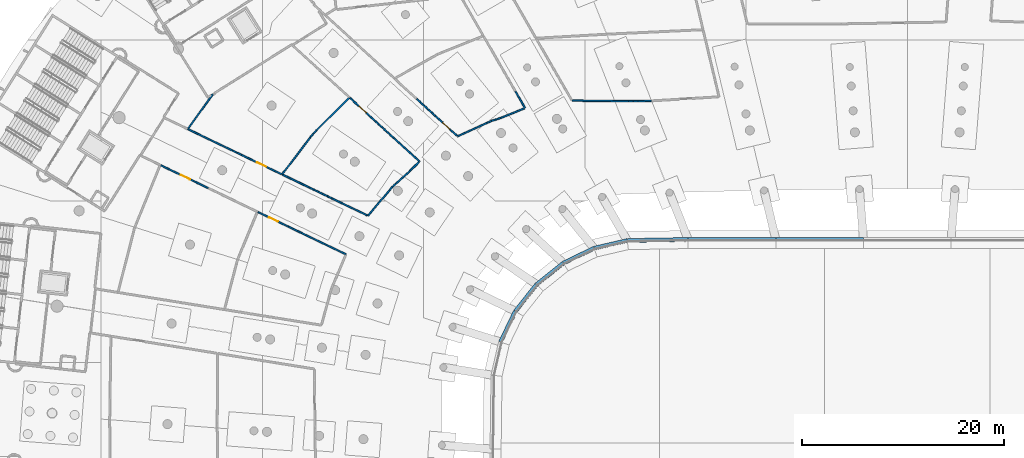
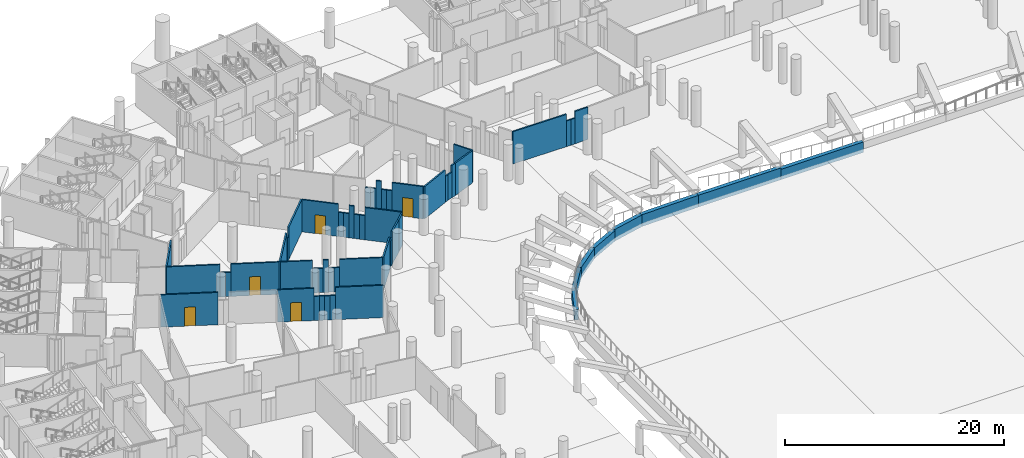
# One storey, part 71 of 142: 59 walls, 5 doors, 5 openings.
"""IFC4 building model written with IfcOpenShell, lengths in metres."""

from ifc_helpers import new_model, si_unit, direction, frame, frame_2d, origin, place, context, subcontext, project, spatial, rectangle, extrude, material, layer, layer_set, type_object, element, fill, save


model = new_model("IFC4")

# Units and contexts
model_context = context("Model", 3, precision=1e-05, world=origin(), true_north=direction((0.0, 1.0)))
body_context = subcontext(model_context, "Body", "Model", "MODEL_VIEW")
ifc_project = project(units=[si_unit("LENGTHUNIT", "METRE"), si_unit("AREAUNIT", "SQUARE_METRE"), si_unit("VOLUMEUNIT", "CUBIC_METRE"), si_unit("PLANEANGLEUNIT", "RADIAN"), si_unit("MASSUNIT", "GRAM", prefix="KILO")], contexts=[model_context])

# Site, building, storey
site_placement = place(None, origin())
site = spatial("IfcSite", under=ifc_project, at=site_placement, CompositionType="ELEMENT")
building_placement = place(site_placement, origin())
building = spatial("IfcBuilding", under=site, at=building_placement, Name="Meseta Stadium", CompositionType="ELEMENT")
storey_placement = place(building_placement, frame((0.0, 0.0, -4.0)))
storey = spatial("IfcBuildingStorey", under=building, at=storey_placement, Name="B1", CompositionType="ELEMENT", Elevation=-4.0)

# Walls
ifc_material_1 = material(Name="Masonry blockwork", Category="masonry")
ifc_layer_1 = layer(ifc_material_1, 0.14990234375)
ifc_layer_set_1 = layer_set([ifc_layer_1], Name="Partition 150")
wall_type_1 = type_object("IfcWallType", Name="Partition 150", PredefinedType="PARTITIONING", material=ifc_layer_set_1)
wall_1_placement = place(storey_placement, frame((-25.383056640625, 73.938720703125, 0.0), z_axis=(0.0, 0.0, 1.0), x_axis=(-0.999868068184, -0.016243344068, 0.0)))
element("IfcWall", 1, at=wall_1_placement, inside=storey, type_object=wall_type_1, Name="Partition B1 B1-cell10-1-0", PredefinedType="PARTITIONING", context=body_context, shape_type="SweptSolid", body=[
    extrude(rectangle(XDim=1.352783203125, YDim=0.14990234375, at=frame_2d((0.67626953125, 0.0))), origin(), (0.0, 0.0, 1.0), 3.60009765625),
])
wall_2_placement = place(storey_placement, frame((-26.735595703125, 73.916748046875, 0.0), z_axis=(0.0, 0.0, 1.0), x_axis=(-0.999867972893, -0.01624920866, 0.0)))
element("IfcWall", 2, at=wall_2_placement, inside=storey, type_object=wall_type_1, Name="Partition B1 B1-cell10-1-0", PredefinedType="PARTITIONING", context=body_context, shape_type="SweptSolid", body=[
    extrude(rectangle(XDim=0.45068359375, YDim=0.14990234375, at=frame_2d((0.225341796875, 0.0))), origin(), (0.0, 0.0, 1.0), 2.85009765625),
])
wall_3_placement = place(storey_placement, frame((-27.186279296875, 73.909423828125, 0.0), z_axis=(0.0, 0.0, 1.0), x_axis=(-0.999960599238, 0.008876934824, 0.0)))
element("IfcWall", 3, at=wall_3_placement, inside=storey, type_object=wall_type_1, Name="Partition B1 B1-cell10-1-0", PredefinedType="PARTITIONING", context=body_context, shape_type="SweptSolid", body=[
    extrude(rectangle(XDim=0.467529296875, YDim=0.14990234375, at=frame_2d((0.23388671875, 0.0))), origin(), (0.0, 0.0, 1.0), 2.85009765625),
])
wall_4_placement = place(storey_placement, frame((-27.65380859375, 73.91357421875, 0.0), z_axis=(0.0, 0.0, 1.0), x_axis=(-0.999961742838, 0.008747162952, 0.0)))
element("IfcWall", 4, at=wall_4_placement, inside=storey, type_object=wall_type_1, Name="Partition B1 B1-cell10-1-0", PredefinedType="PARTITIONING", context=body_context, shape_type="SweptSolid", body=[
    extrude(rectangle(XDim=5.610107421875, YDim=0.14990234375, at=frame_2d((2.80517578125, 0.0))), origin(), (0.0, 0.0, 1.0), 3.60009765625),
])
wall_5_placement = place(storey_placement, frame((-38.893798828125, 74.91064453125, 0.0), z_axis=(0.0, 0.0, 1.0), x_axis=(0.500428039274, -0.865778134113, 0.0)))
element("IfcWall", 5, at=wall_5_placement, inside=storey, type_object=wall_type_1, Name="Partition B1 B1-cell11-1-0", PredefinedType="PARTITIONING", context=body_context, shape_type="SweptSolid", body=[
    extrude(rectangle(XDim=1.946533203125, YDim=0.14990234375, at=frame_2d((0.97314453125, 0.0))), origin(), (0.0, 0.0, 1.0), 3.60009765625),
])
wall_6_placement = place(storey_placement, frame((-37.989990234375, 73.197021484375, 0.0), z_axis=(0.0, 0.0, 1.0), x_axis=(-0.926150512671, -0.377154116879, 0.0)))
element("IfcWall", 6, at=wall_6_placement, inside=storey, type_object=wall_type_1, Name="Partition B1 B1-cell11-1-0", PredefinedType="PARTITIONING", context=body_context, shape_type="SweptSolid", body=[
    extrude(rectangle(XDim=2.552978515625, YDim=0.14990234375, at=frame_2d((1.2763671875, 0.0))), origin(), (0.0, 0.0, 1.0), 3.60009765625),
])
wall_7_placement = place(storey_placement, frame((-40.3544921875, 72.234130859375, 0.0), z_axis=(0.0, 0.0, 1.0), x_axis=(-0.954344750988, -0.298707375641, 0.0)))
element("IfcWall", 7, at=wall_7_placement, inside=storey, type_object=wall_type_1, Name="Partition B1 B1-cell11-1-0", PredefinedType="PARTITIONING", context=body_context, shape_type="SweptSolid", body=[
    extrude(rectangle(XDim=0.482177734375, YDim=0.14990234375, at=frame_2d((0.2412109375, 0.0))), origin(), (0.0, 0.0, 1.0), 3.60009765625),
])
wall_8_placement = place(storey_placement, frame((-40.814697265625, 72.090087890625, 0.0), z_axis=(0.0, 0.0, 1.0), x_axis=(-0.95429954451, -0.298851768185, 0.0)))
element("IfcWall", 8, at=wall_8_placement, inside=storey, type_object=wall_type_1, Name="Partition B1 B1-cell11-1-0", PredefinedType="PARTITIONING", context=body_context, shape_type="SweptSolid", body=[
    extrude(rectangle(XDim=0.48193359375, YDim=0.14990234375, at=frame_2d((0.240966796875, 0.0))), origin(), (0.0, 0.0, 1.0), 2.85009765625),
])
wall_9_placement = place(storey_placement, frame((-41.274658203125, 71.946044921875, 0.0), z_axis=(0.0, 0.0, 1.0), x_axis=(-0.909417011364, -0.415885440285, 0.0)))
element("IfcWall", 9, at=wall_9_placement, inside=storey, type_object=wall_type_1, Name="Partition B1 B1-cell11-1-0", PredefinedType="PARTITIONING", context=body_context, shape_type="SweptSolid", body=[
    extrude(rectangle(XDim=0.458984375, YDim=0.14990234375, at=frame_2d((0.2294921875, 0.0))), origin(), (0.0, 0.0, 1.0), 2.85009765625),
])
wall_10_placement = place(storey_placement, frame((-41.692138671875, 71.755126953125, 0.0), z_axis=(0.0, 0.0, 1.0), x_axis=(-0.909581934744, -0.415524612975, 0.0)))
element("IfcWall", 10, at=wall_10_placement, inside=storey, type_object=wall_type_1, Name="Partition B1 B1-cell11-1-0", PredefinedType="PARTITIONING", context=body_context, shape_type="SweptSolid", body=[
    extrude(rectangle(XDim=3.21435546875, YDim=0.14990234375, at=frame_2d((1.607177734375, 0.0))), origin(), (0.0, 0.0, 1.0), 3.60009765625),
])

# Wall, opening, door
wall_11_placement = place(storey_placement, frame((-44.676025390625, 70.474609375, 0.0), z_axis=(0.0, 0.0, 1.0), x_axis=(-0.737633349571, 0.675201482226, 0.0)))
wall_11 = element("IfcWall", 11, at=wall_11_placement, inside=storey, type_object=wall_type_1, Name="Partition B1 B1-cell11-1-0", PredefinedType="PARTITIONING", context=body_context, shape_type="SweptSolid", body=[
    extrude(rectangle(XDim=2.917236328125, YDim=0.14990234375, at=frame_2d((1.45849609375, 0.0))), origin(), (0.0, 0.0, 1.0), 3.60009765625),
])
opening_1_placement = place(wall_11_placement, frame((0.949951171875, 0.0, 0.0)))
opening_1 = element("IfcOpeningElement", 12, at=opening_1_placement, cuts=wall_11, Name="Opening D464", PredefinedType="OPENING", context=body_context, shape_type="SweptSolid", body=[
    extrude(rectangle(XDim=1.0, YDim=2.10009765625, at=frame_2d((0.5, 1.050048828125))), frame((0.0, 0.0849609375, 0.0), z_axis=(0.0, -1.0, 0.0), x_axis=(1.0, 0.0, 0.0)), (0.0, 0.0, 1.0), 0.169921875),
])
ifc_material_2 = material(Name="Steel", Category="steel")
door_type_1 = type_object("IfcDoorType", Name="Fire door 1000x2100 EI2 60", OperationType="NOTDEFINED", PredefinedType="DOOR", material=ifc_material_2)
door_1_placement = place(opening_1_placement, origin())
door_1 = element("IfcDoor", 13, at=door_1_placement, inside=storey, type_object=door_type_1, Name="Door D464", OperationType="SINGLE_SWING_RIGHT", OverallHeight=2.10009765625, OverallWidth=1.0, PredefinedType="DOOR", context=body_context, shape_type="SweptSolid", body=[
    extrude(rectangle(XDim=1.0, YDim=2.10009765625, at=frame_2d((0.5, 1.050048828125))), frame((0.0, 0.02490234375, 0.0), z_axis=(0.0, -1.0, 0.0), x_axis=(1.0, 0.0, 0.0)), (0.0, 0.0, 1.0), 0.050048828125),
])
fill(opening_1, door_1)

# Walls
wall_12_placement = place(storey_placement, frame((-46.827880859375, 72.4443359375, 0.0), z_axis=(0.0, 0.0, 1.0), x_axis=(-0.737660549035, 0.675171766588, 0.0)))
element("IfcWall", 14, at=wall_12_placement, inside=storey, type_object=wall_type_1, Name="Partition B1 B1-cell11-1-0", PredefinedType="PARTITIONING", context=body_context, shape_type="SweptSolid", body=[
    extrude(rectangle(XDim=0.5, YDim=0.14990234375, at=frame_2d((0.25, 0.0))), origin(), (0.0, 0.0, 1.0), 2.699951171875),
])
wall_13_placement = place(storey_placement, frame((-47.19677734375, 72.781982421875, 0.0), z_axis=(0.0, 0.0, 1.0), x_axis=(-0.737458354514, 0.675392608309, 0.0)))
element("IfcWall", 15, at=wall_13_placement, inside=storey, type_object=wall_type_1, Name="Partition B1 B1-cell11-1-0", PredefinedType="PARTITIONING", context=body_context, shape_type="SweptSolid", body=[
    extrude(rectangle(XDim=0.49951171875, YDim=0.14990234375, at=frame_2d((0.249755859375, 0.0))), origin(), (0.0, 0.0, 1.0), 2.699951171875),
])
wall_14_placement = place(storey_placement, frame((-47.565185546875, 73.119384765625, 0.0), z_axis=(0.0, 0.0, 1.0), x_axis=(-0.73790372497, 0.674905988027, 0.0)))
element("IfcWall", 16, at=wall_14_placement, inside=storey, type_object=wall_type_1, Name="Partition B1 B1-cell11-1-0", PredefinedType="PARTITIONING", context=body_context, shape_type="SweptSolid", body=[
    extrude(rectangle(XDim=0.5, YDim=0.14990234375, at=frame_2d((0.25, 0.0))), origin(), (0.0, 0.0, 1.0), 3.60009765625),
])
wall_15_placement = place(storey_placement, frame((-47.93408203125, 73.456787109375, 0.0), z_axis=(0.0, 0.0, 1.0), x_axis=(-0.737681160119, 0.675149247208, 0.0)))
element("IfcWall", 17, at=wall_15_placement, inside=storey, type_object=wall_type_1, Name="Partition B1 B1-cell11-1-0", PredefinedType="PARTITIONING", context=body_context, shape_type="SweptSolid", body=[
    extrude(rectangle(XDim=0.499755859375, YDim=0.14990234375, at=frame_2d((0.25, 0.0))), origin(), (0.0, 0.0, 1.0), 2.699951171875),
])
wall_16_placement = place(storey_placement, frame((-48.302734375, 73.794189453125, 0.0), z_axis=(0.0, 0.0, 1.0), x_axis=(-0.737437882339, 0.67541496111, 0.0)))
element("IfcWall", 18, at=wall_16_placement, inside=storey, type_object=wall_type_1, Name="Partition B1 B1-cell11-1-0", PredefinedType="PARTITIONING", context=body_context, shape_type="SweptSolid", body=[
    extrude(rectangle(XDim=0.5, YDim=0.14990234375, at=frame_2d((0.25, 0.0))), origin(), (0.0, 0.0, 1.0), 2.699951171875),
])
wall_17_placement = place(storey_placement, frame((-62.03515625, 66.643798828125, 0.0), z_axis=(0.0, 0.0, 1.0), x_axis=(0.607522587772, 0.7943024017, 0.0)))
element("IfcWall", 19, at=wall_17_placement, inside=storey, type_object=wall_type_1, Name="Partition B1 B1-cell12-1-0", PredefinedType="PARTITIONING", context=body_context, shape_type="SweptSolid", body=[
    extrude(rectangle(XDim=4.625732421875, YDim=0.14990234375, at=frame_2d((2.31298828125, 0.0))), origin(), (0.0, 0.0, 1.0), 3.60009765625),
])
wall_18_placement = place(storey_placement, frame((-59.224853515625, 70.318115234375, 0.0), z_axis=(0.0, 0.0, 1.0), x_axis=(0.607234679448, 0.794522525846, 0.0)))
element("IfcWall", 20, at=wall_18_placement, inside=storey, type_object=wall_type_1, Name="Partition B1 B1-cell12-1-0", PredefinedType="PARTITIONING", context=body_context, shape_type="SweptSolid", body=[
    extrude(rectangle(XDim=0.462646484375, YDim=0.14990234375, at=frame_2d((0.2314453125, 0.0))), origin(), (0.0, 0.0, 1.0), 2.699951171875),
])
wall_19_placement = place(storey_placement, frame((-58.94384765625, 70.685791015625, 0.0), z_axis=(0.0, 0.0, 1.0), x_axis=(0.707898761155, 0.706313913182, 0.0)))
element("IfcWall", 21, at=wall_19_placement, inside=storey, type_object=wall_type_1, Name="Partition B1 B1-cell12-1-0", PredefinedType="PARTITIONING", context=body_context, shape_type="SweptSolid", body=[
    extrude(rectangle(XDim=0.462158203125, YDim=0.14990234375, at=frame_2d((0.23095703125, 0.0))), origin(), (0.0, 0.0, 1.0), 2.699951171875),
])
wall_20_placement = place(storey_placement, frame((-58.61669921875, 71.01220703125, 0.0), z_axis=(0.0, 0.0, 1.0), x_axis=(0.707977942718, 0.706234545052, 0.0)))
element("IfcWall", 22, at=wall_20_placement, inside=storey, type_object=wall_type_1, Name="Partition B1 B1-cell12-1-0", PredefinedType="PARTITIONING", context=body_context, shape_type="SweptSolid", body=[
    extrude(rectangle(XDim=4.621337890625, YDim=0.14990234375, at=frame_2d((2.310546875, 0.0))), origin(), (0.0, 0.0, 1.0), 3.60009765625),
])

# Wall, opening, door
wall_21_placement = place(storey_placement, frame((-55.28955078125, 74.22509765625, 0.0), z_axis=(0.0, 0.0, 1.0), x_axis=(0.737592778543, -0.675245801942, 0.0)))
wall_21 = element("IfcWall", 23, at=wall_21_placement, inside=storey, type_object=wall_type_1, Name="Partition B1 B1-cell12-1-0", PredefinedType="PARTITIONING", context=body_context, shape_type="SweptSolid", body=[
    extrude(rectangle(XDim=3.39501953125, YDim=0.14990234375, at=frame_2d((1.697509765625, 0.0))), origin(), (0.0, 0.0, 1.0), 3.60009765625),
])
opening_2_placement = place(wall_21_placement, frame((1.199951171875, 0.0, 0.0)))
opening_2 = element("IfcOpeningElement", 24, at=opening_2_placement, cuts=wall_21, Name="Opening D467", PredefinedType="OPENING", context=body_context, shape_type="SweptSolid", body=[
    extrude(rectangle(XDim=1.0, YDim=2.10009765625, at=frame_2d((0.5, 1.050048828125))), frame((0.0, 0.0849609375, 0.0), z_axis=(0.0, -1.0, 0.0), x_axis=(1.0, 0.0, 0.0)), (0.0, 0.0, 1.0), 0.169921875),
])
door_2_placement = place(opening_2_placement, origin())
door_2 = element("IfcDoor", 25, at=door_2_placement, inside=storey, type_object=door_type_1, Name="Door D467", OperationType="SINGLE_SWING_LEFT", OverallHeight=2.10009765625, OverallWidth=1.0, PredefinedType="DOOR", context=body_context, shape_type="SweptSolid", body=[
    extrude(rectangle(XDim=1.0, YDim=2.10009765625, at=frame_2d((0.5, 1.050048828125))), frame((0.0, 0.02490234375, 0.0), z_axis=(0.0, -1.0, 0.0), x_axis=(1.0, 0.0, 0.0)), (0.0, 0.0, 1.0), 0.050048828125),
])
fill(opening_2, door_2)

# Walls
for number, where, z_axis, x_axis, name in (
    (26, (-52.785400390625, 71.9326171875, 0.0), (0.0, 0.0, 1.0), (0.737685383135, -0.67514463303, 0.0), "Partition B1 B1-cell12-1-0"),
    (27, (-52.419677734375, 71.597900390625, 0.0), (0.0, 0.0, 1.0), (0.737685383135, -0.67514463303, 0.0), "Partition B1 B1-cell12-1-0"),
):
    element("IfcWall", number, at=place(storey_placement, frame(where, z_axis=z_axis, x_axis=x_axis)), inside=storey, type_object=wall_type_1, Name=name, PredefinedType="PARTITIONING", context=body_context, shape_type="SweptSolid", body=[
        extrude(rectangle(XDim=0.495849609375, YDim=0.14990234375, at=frame_2d((0.248046875, 0.0))), origin(), (0.0, 0.0, 1.0), 2.699951171875),
    ])
wall_22_placement = place(storey_placement, frame((-52.053955078125, 71.26318359375, 0.0), z_axis=(0.0, 0.0, 1.0), x_axis=(0.737460793515, -0.675389945163, 0.0)))
element("IfcWall", 28, at=wall_22_placement, inside=storey, type_object=wall_type_1, Name="Partition B1 B1-cell12-1-0", PredefinedType="PARTITIONING", context=body_context, shape_type="SweptSolid", body=[
    extrude(rectangle(XDim=0.49560546875, YDim=0.14990234375, at=frame_2d((0.247802734375, 0.0))), origin(), (0.0, 0.0, 1.0), 3.60009765625),
])
for number, where, z_axis, x_axis, name in (
    (29, (-51.6884765625, 70.928466796875, 0.0), (0.0, 0.0, 1.0), (0.737685383135, -0.67514463303, 0.0), "Partition B1 B1-cell12-1-0"),
    (30, (-51.32275390625, 70.59375, 0.0), (0.0, 0.0, 1.0), (0.737685383135, -0.67514463303, 0.0), "Partition B1 B1-cell12-1-0"),
):
    element("IfcWall", number, at=place(storey_placement, frame(where, z_axis=z_axis, x_axis=x_axis)), inside=storey, type_object=wall_type_1, Name=name, PredefinedType="PARTITIONING", context=body_context, shape_type="SweptSolid", body=[
        extrude(rectangle(XDim=0.495849609375, YDim=0.14990234375, at=frame_2d((0.248046875, 0.0))), origin(), (0.0, 0.0, 1.0), 2.699951171875),
    ])
wall_23_placement = place(storey_placement, frame((-50.95703125, 70.259033203125, 0.0), z_axis=(0.0, 0.0, 1.0), x_axis=(0.737621239647, -0.675214711645, 0.0)))
element("IfcWall", 31, at=wall_23_placement, inside=storey, type_object=wall_type_1, Name="Partition B1 B1-cell12-1-0", PredefinedType="PARTITIONING", context=body_context, shape_type="SweptSolid", body=[
    extrude(rectangle(XDim=3.469970703125, YDim=0.14990234375, at=frame_2d((1.73486328125, 0.0))), origin(), (0.0, 0.0, 1.0), 3.60009765625),
])
wall_24_placement = place(storey_placement, frame((-48.451171875, 67.863525390625, 0.0), z_axis=(0.0, 0.0, 1.0), x_axis=(-0.715813148979, -0.698291870029, 0.0)))
element("IfcWall", 32, at=wall_24_placement, inside=storey, type_object=wall_type_1, Name="Partition B1 B1-cell12-1-0", PredefinedType="PARTITIONING", context=body_context, shape_type="SweptSolid", body=[
    extrude(rectangle(XDim=1.240234375, YDim=0.14990234375, at=frame_2d((0.6201171875, 0.0))), origin(), (0.0, 0.0, 1.0), 3.60009765625),
])
wall_25_placement = place(storey_placement, frame((-49.3388671875, 66.99755859375, 0.0), z_axis=(0.0, 0.0, 1.0), x_axis=(-0.738809628439, -0.673914188103, 0.0)))
element("IfcWall", 33, at=wall_25_placement, inside=storey, type_object=wall_type_1, Name="Partition B1 B1-cell12-1-0", PredefinedType="PARTITIONING", context=body_context, shape_type="SweptSolid", body=[
    extrude(rectangle(XDim=1.907470703125, YDim=0.14990234375, at=frame_2d((0.95361328125, 0.0))), origin(), (0.0, 0.0, 1.0), 3.60009765625),
])
wall_26_placement = place(storey_placement, frame((-50.748046875, 65.712158203125, 0.0), z_axis=(0.0, 0.0, 1.0), x_axis=(-0.739105728583, -0.673589431312, 0.0)))
element("IfcWall", 34, at=wall_26_placement, inside=storey, type_object=wall_type_1, Name="Partition B1 B1-cell12-1-0", PredefinedType="PARTITIONING", context=body_context, shape_type="SweptSolid", body=[
    extrude(rectangle(XDim=0.47705078125, YDim=0.14990234375, at=frame_2d((0.238525390625, 0.0))), origin(), (0.0, 0.0, 1.0), 2.85009765625),
])
wall_27_placement = place(storey_placement, frame((-51.1005859375, 65.390869140625, 0.0), z_axis=(0.0, 0.0, 1.0), x_axis=(-0.645425435236, -0.763823282933, 0.0)))
element("IfcWall", 35, at=wall_27_placement, inside=storey, type_object=wall_type_1, Name="Partition B1 B1-cell12-1-0", PredefinedType="PARTITIONING", context=body_context, shape_type="SweptSolid", body=[
    extrude(rectangle(XDim=0.466064453125, YDim=0.14990234375, at=frame_2d((0.23291015625, 0.0))), origin(), (0.0, 0.0, 1.0), 2.85009765625),
])
wall_28_placement = place(storey_placement, frame((-51.4013671875, 65.034912109375, 0.0), z_axis=(0.0, 0.0, 1.0), x_axis=(-0.64527787395, -0.76394794678, 0.0)))
element("IfcWall", 36, at=wall_28_placement, inside=storey, type_object=wall_type_1, Name="Partition B1 B1-cell12-1-0", PredefinedType="PARTITIONING", context=body_context, shape_type="SweptSolid", body=[
    extrude(rectangle(XDim=3.262939453125, YDim=0.14990234375, at=frame_2d((1.63134765625, 0.0))), origin(), (0.0, 0.0, 1.0), 3.60009765625),
])
wall_29_placement = place(storey_placement, frame((-53.57666015625, 62.57568359375, 0.0), z_axis=(0.0, 0.0, 1.0), x_axis=(-0.901195166142, 0.433413512159, 0.0)))
element("IfcWall", 37, at=wall_29_placement, inside=storey, type_object=wall_type_1, Name="Partition B1 B1-cell12-1-0", PredefinedType="PARTITIONING", context=body_context, shape_type="SweptSolid", body=[
    extrude(rectangle(XDim=3.906982421875, YDim=0.14990234375, at=frame_2d((1.95361328125, 0.0))), origin(), (0.0, 0.0, 1.0), 3.60009765625),
])
wall_30_placement = place(storey_placement, frame((-57.09765625, 64.26904296875, 0.0), z_axis=(0.0, 0.0, 1.0), x_axis=(-0.901086772715, 0.433638822106, 0.0)))
element("IfcWall", 38, at=wall_30_placement, inside=storey, type_object=wall_type_1, Name="Partition B1 B1-cell12-1-0", PredefinedType="PARTITIONING", context=body_context, shape_type="SweptSolid", body=[
    extrude(rectangle(XDim=0.498291015625, YDim=0.14990234375, at=frame_2d((0.2490234375, 0.0))), origin(), (0.0, 0.0, 1.0), 2.699951171875),
])
wall_31_placement = place(storey_placement, frame((-57.546630859375, 64.485107421875, 0.0), z_axis=(0.0, 0.0, 1.0), x_axis=(-0.901186136238, 0.433432287505, 0.0)))
element("IfcWall", 39, at=wall_31_placement, inside=storey, type_object=wall_type_1, Name="Partition B1 B1-cell12-1-0", PredefinedType="PARTITIONING", context=body_context, shape_type="SweptSolid", body=[
    extrude(rectangle(XDim=0.498046875, YDim=0.14990234375, at=frame_2d((0.2490234375, 0.0))), origin(), (0.0, 0.0, 1.0), 2.699951171875),
])
wall_32_placement = place(storey_placement, frame((-57.995361328125, 64.700927734375, 0.0), z_axis=(0.0, 0.0, 1.0), x_axis=(-0.901278186226, 0.433240846451, 0.0)))
element("IfcWall", 40, at=wall_32_placement, inside=storey, type_object=wall_type_1, Name="Partition B1 B1-cell12-1-0", PredefinedType="PARTITIONING", context=body_context, shape_type="SweptSolid", body=[
    extrude(rectangle(XDim=0.498046875, YDim=0.14990234375, at=frame_2d((0.2490234375, 0.0))), origin(), (0.0, 0.0, 1.0), 3.60009765625),
])
for number, where, z_axis, x_axis, name in (
    (41, (-58.4443359375, 64.916748046875, 0.0), (0.0, 0.0, 1.0), (-0.901278186226, 0.433240846451, 0.0), "Partition B1 B1-cell12-1-0"),
    (42, (-58.893310546875, 65.132568359375, 0.0), (0.0, 0.0, 1.0), (-0.901186136238, 0.433432287505, 0.0), "Partition B1 B1-cell12-1-0"),
):
    element("IfcWall", number, at=place(storey_placement, frame(where, z_axis=z_axis, x_axis=x_axis)), inside=storey, type_object=wall_type_1, Name=name, PredefinedType="PARTITIONING", context=body_context, shape_type="SweptSolid", body=[
        extrude(rectangle(XDim=0.498046875, YDim=0.14990234375, at=frame_2d((0.2490234375, 0.0))), origin(), (0.0, 0.0, 1.0), 2.699951171875),
    ])
wall_33_placement = place(storey_placement, frame((-59.342041015625, 65.348388671875, 0.0), z_axis=(0.0, 0.0, 1.0), x_axis=(-0.901164254203, 0.433477781376, 0.0)))
element("IfcWall", 43, at=wall_33_placement, inside=storey, type_object=wall_type_1, Name="Partition B1 B1-cell12-1-0", PredefinedType="PARTITIONING", context=body_context, shape_type="SweptSolid", body=[
    extrude(rectangle(XDim=2.911865234375, YDim=0.14990234375, at=frame_2d((1.4560546875, 0.0))), origin(), (0.0, 0.0, 1.0), 3.60009765625),
])

# Wall, opening, door
wall_34_placement = place(storey_placement, frame((-62.080078125, 66.665283203125, 0.0), z_axis=(0.0, 0.0, 1.0), x_axis=(-0.901190728749, 0.433422738694, 0.0)))
wall_34 = element("IfcWall", 44, at=wall_34_placement, inside=storey, type_object=wall_type_1, Name="Partition B1 B1-cell12-2-0", PredefinedType="PARTITIONING", context=body_context, shape_type="SweptSolid", body=[
    extrude(rectangle(XDim=4.428466796875, YDim=0.14990234375, at=frame_2d((2.21435546875, 0.0))), origin(), (0.0, 0.0, 1.0), 3.60009765625),
])
opening_3_placement = place(wall_34_placement, frame((1.699951171875, 0.0, 0.0)))
opening_3 = element("IfcOpeningElement", 45, at=opening_3_placement, cuts=wall_34, Name="Opening D468", PredefinedType="OPENING", context=body_context, shape_type="SweptSolid", body=[
    extrude(rectangle(XDim=1.0, YDim=2.10009765625, at=frame_2d((0.5, 1.050048828125))), frame((0.0, 0.0849609375, 0.0), z_axis=(0.0, -1.0, 0.0), x_axis=(1.0, 0.0, 0.0)), (0.0, 0.0, 1.0), 0.169921875),
])
door_3_placement = place(opening_3_placement, origin())
door_3 = element("IfcDoor", 46, at=door_3_placement, inside=storey, type_object=door_type_1, Name="Door D468", OperationType="SINGLE_SWING_LEFT", OverallHeight=2.10009765625, OverallWidth=1.0, PredefinedType="DOOR", context=body_context, shape_type="SweptSolid", body=[
    extrude(rectangle(XDim=1.0, YDim=2.10009765625, at=frame_2d((0.5, 1.050048828125))), frame((0.0, 0.02490234375, 0.0), z_axis=(0.0, -1.0, 0.0), x_axis=(1.0, 0.0, 0.0)), (0.0, 0.0, 1.0), 0.050048828125),
])
fill(opening_3, door_3)

# Walls
wall_35_placement = place(storey_placement, frame((-66.071044921875, 68.584716796875, 0.0), z_axis=(0.0, 0.0, 1.0), x_axis=(-0.90126733215, 0.433263425643, 0.0)))
element("IfcWall", 47, at=wall_35_placement, inside=storey, type_object=wall_type_1, Name="Partition B1 B1-cell12-2-0", PredefinedType="PARTITIONING", context=body_context, shape_type="SweptSolid", body=[
    extrude(rectangle(XDim=0.491943359375, YDim=0.14990234375, at=frame_2d((0.24609375, 0.0))), origin(), (0.0, 0.0, 1.0), 2.699951171875),
])
wall_36_placement = place(storey_placement, frame((-66.514404296875, 68.7978515625, 0.0), z_axis=(0.0, 0.0, 1.0), x_axis=(-0.901166741742, 0.433472609952, 0.0)))
element("IfcWall", 48, at=wall_36_placement, inside=storey, type_object=wall_type_1, Name="Partition B1 B1-cell12-2-0", PredefinedType="PARTITIONING", context=body_context, shape_type="SweptSolid", body=[
    extrude(rectangle(XDim=0.4921875, YDim=0.14990234375, at=frame_2d((0.24609375, 0.0))), origin(), (0.0, 0.0, 1.0), 2.699951171875),
])
wall_37_placement = place(storey_placement, frame((-66.9580078125, 69.01123046875, 0.0), z_axis=(0.0, 0.0, 1.0), x_axis=(-0.901198388505, 0.433406811848, 0.0)))
element("IfcWall", 49, at=wall_37_placement, inside=storey, type_object=wall_type_1, Name="Partition B1 B1-cell12-2-0", PredefinedType="PARTITIONING", context=body_context, shape_type="SweptSolid", body=[
    extrude(rectangle(XDim=4.92041015625, YDim=0.14990234375, at=frame_2d((2.460205078125, 0.0))), origin(), (0.0, 0.0, 1.0), 3.60009765625),
])
wall_38_placement = place(storey_placement, frame((-71.347900390625, 71.20556640625, 0.0), z_axis=(0.0, 0.0, 1.0), x_axis=(0.583304436704, 0.812253614409, 0.0)))
element("IfcWall", 50, at=wall_38_placement, inside=storey, type_object=wall_type_1, Name="Partition B1 B1-cell12-2-0", PredefinedType="PARTITIONING", context=body_context, shape_type="SweptSolid", body=[
    extrude(rectangle(XDim=4.1875, YDim=0.14990234375, at=frame_2d((2.09375, 0.0))), origin(), (0.0, 0.0, 1.0), 3.60009765625),
])

# Wall, opening, door
wall_39_placement = place(storey_placement, frame((-64.414794921875, 62.905517578125, 0.0), z_axis=(0.0, 0.0, 1.0), x_axis=(0.901226054049, -0.433349281184, 0.0)))
wall_39 = element("IfcWall", 51, at=wall_39_placement, inside=storey, type_object=wall_type_1, Name="Partition B1 B1-cell13-1-0", PredefinedType="PARTITIONING", context=body_context, shape_type="SweptSolid", body=[
    extrude(rectangle(XDim=3.33740234375, YDim=0.14990234375, at=frame_2d((1.668701171875, 0.0))), origin(), (0.0, 0.0, 1.0), 3.60009765625),
])
opening_4_placement = place(wall_39_placement, frame((1.199951171875, 0.0, 0.0)))
opening_4 = element("IfcOpeningElement", 52, at=opening_4_placement, cuts=wall_39, Name="Opening D470", PredefinedType="OPENING", context=body_context, shape_type="SweptSolid", body=[
    extrude(rectangle(XDim=1.0, YDim=2.10009765625, at=frame_2d((0.5, 1.050048828125))), frame((0.0, 0.0849609375, 0.0), z_axis=(0.0, -1.0, 0.0), x_axis=(1.0, 0.0, 0.0)), (0.0, 0.0, 1.0), 0.169921875),
])
door_4_placement = place(opening_4_placement, origin())
door_4 = element("IfcDoor", 53, at=door_4_placement, inside=storey, type_object=door_type_1, Name="Door D470", OperationType="SINGLE_SWING_LEFT", OverallHeight=2.10009765625, OverallWidth=1.0, PredefinedType="DOOR", context=body_context, shape_type="SweptSolid", body=[
    extrude(rectangle(XDim=1.0, YDim=2.10009765625, at=frame_2d((0.5, 1.050048828125))), frame((0.0, 0.02490234375, 0.0), z_axis=(0.0, -1.0, 0.0), x_axis=(1.0, 0.0, 0.0)), (0.0, 0.0, 1.0), 0.050048828125),
])
fill(opening_4, door_4)

# Walls
for number, where, z_axis, x_axis, name in (
    (54, (-61.406982421875, 61.459228515625, 0.0), (0.0, 0.0, 1.0), (0.901037920028, -0.433740321703, 0.0), "Partition B1 B1-cell13-1-0"),
    (55, (-60.9677734375, 61.247802734375, 0.0), (0.0, 0.0, 1.0), (0.901327619355, -0.433137994857, 0.0), "Partition B1 B1-cell13-1-0"),
    (56, (-60.5283203125, 61.03662109375, 0.0), (0.0, 0.0, 1.0), (0.901037920028, -0.433740321703, 0.0), "Partition B1 B1-cell13-1-0"),
    (57, (-60.089111328125, 60.8251953125, 0.0), (0.0, 0.0, 1.0), (0.901327619355, -0.433137994857, 0.0), "Partition B1 B1-cell13-1-0"),
):
    element("IfcWall", number, at=place(storey_placement, frame(where, z_axis=z_axis, x_axis=x_axis)), inside=storey, type_object=wall_type_1, Name=name, PredefinedType="PARTITIONING", context=body_context, shape_type="SweptSolid", body=[
        extrude(rectangle(XDim=0.487548828125, YDim=0.14990234375, at=frame_2d((0.24365234375, 0.0))), origin(), (0.0, 0.0, 1.0), 2.699951171875),
    ])
wall_40_placement = place(storey_placement, frame((-59.649658203125, 60.614013671875, 0.0), z_axis=(0.0, 0.0, 1.0), x_axis=(0.901188477703, -0.433427419131, 0.0)))
element("IfcWall", 58, at=wall_40_placement, inside=storey, type_object=wall_type_1, Name="Partition B1 B1-cell13-1-0", PredefinedType="PARTITIONING", context=body_context, shape_type="SweptSolid", body=[
    extrude(rectangle(XDim=4.387451171875, YDim=0.14990234375, at=frame_2d((2.19384765625, 0.0))), origin(), (0.0, 0.0, 1.0), 3.60009765625),
])

# Wall, opening, door
wall_41_placement = place(storey_placement, frame((-74.0576171875, 67.543212890625, 0.0), z_axis=(0.0, 0.0, 1.0), x_axis=(0.901194793343, -0.433414287319, 0.0)))
wall_41 = element("IfcWall", 59, at=wall_41_placement, inside=storey, type_object=wall_type_1, Name="Partition B1 B1-cell13-2-0", PredefinedType="PARTITIONING", context=body_context, shape_type="SweptSolid", body=[
    extrude(rectangle(XDim=5.25, YDim=0.14990234375, at=frame_2d((2.625, 0.0))), origin(), (0.0, 0.0, 1.0), 3.60009765625),
])
opening_5_placement = place(wall_41_placement, frame((2.199951171875, 0.0, 0.0)))
opening_5 = element("IfcOpeningElement", 60, at=opening_5_placement, cuts=wall_41, Name="Opening D471", PredefinedType="OPENING", context=body_context, shape_type="SweptSolid", body=[
    extrude(rectangle(XDim=1.0, YDim=2.10009765625, at=frame_2d((0.5, 1.050048828125))), frame((0.0, 0.0849609375, 0.0), z_axis=(0.0, -1.0, 0.0), x_axis=(1.0, 0.0, 0.0)), (0.0, 0.0, 1.0), 0.169921875),
])
ifc_material_3 = material(Name="Steel", Category="steel")
door_type_2 = type_object("IfcDoorType", Name="Fire door 1000x2100 EI2 120", OperationType="NOTDEFINED", PredefinedType="DOOR", material=ifc_material_3)
door_5_placement = place(opening_5_placement, origin())
door_5 = element("IfcDoor", 61, at=door_5_placement, inside=storey, type_object=door_type_2, Name="Door D471", OperationType="SINGLE_SWING_RIGHT", OverallHeight=2.10009765625, OverallWidth=1.0, PredefinedType="DOOR", context=body_context, shape_type="SweptSolid", body=[
    extrude(rectangle(XDim=1.0, YDim=2.10009765625, at=frame_2d((0.5, 1.050048828125))), frame((0.0, 0.02490234375, 0.0), z_axis=(0.0, -1.0, 0.0), x_axis=(1.0, 0.0, 0.0)), (0.0, 0.0, 1.0), 0.050048828125),
])
fill(opening_5, door_5)

# Walls
ifc_material_4 = material(Name="Concrete C40/50", Category="concrete")
ifc_layer_2 = layer(ifc_material_4, 0.39990234375)
ifc_layer_set_2 = layer_set([ifc_layer_2], Name="Pitch wall 400")
wall_type_2 = type_object("IfcWallType", Name="Pitch wall 400", PredefinedType="SOLIDWALL", material=ifc_layer_set_2)
wall_42_placement = place(storey_placement, frame((-4.34912109375, 60.199462890625, -0.39990234375), z_axis=(0.0, 0.0, 1.0), x_axis=(-0.999999842404, -0.000561419179, 0.0)))
element("IfcWall", 62, at=wall_42_placement, inside=storey, type_object=wall_type_2, Name="Pitch wall bay 20", PredefinedType="SOLIDWALL", context=body_context, shape_type="SweptSolid", body=[
    extrude(rectangle(XDim=8.697265625, YDim=0.39990234375, at=frame_2d((4.3486328125, 0.0))), origin(), (0.0, 0.0, 1.0), 1.15869140625),
])
wall_43_placement = place(storey_placement, frame((-13.04638671875, 60.194580078125, -0.39990234375), z_axis=(0.0, 0.0, 1.0), x_axis=(-0.999999489017, -0.001010923074, 0.0)))
element("IfcWall", 63, at=wall_43_placement, inside=storey, type_object=wall_type_2, Name="Pitch wall bay 21", PredefinedType="SOLIDWALL", context=body_context, shape_type="SweptSolid", body=[
    extrude(rectangle(XDim=8.694091796875, YDim=0.39990234375, at=frame_2d((4.34716796875, 0.0))), origin(), (0.0, 0.0, 1.0), 1.314453125),
])
wall_44_placement = place(storey_placement, frame((-21.740478515625, 60.185791015625, -0.39990234375), z_axis=(0.0, 0.0, 1.0), x_axis=(-0.999843268182, -0.017704210522, 0.0)))
element("IfcWall", 64, at=wall_44_placement, inside=storey, type_object=wall_type_2, Name="Pitch wall bay 22", PredefinedType="SOLIDWALL", context=body_context, shape_type="SweptSolid", body=[
    extrude(rectangle(XDim=6.0400390625, YDim=0.39990234375, at=frame_2d((3.02001953125, 0.0))), origin(), (0.0, 0.0, 1.0), 1.314453125),
])
wall_45_placement = place(storey_placement, frame((-27.779541015625, 60.078857421875, -0.39990234375), z_axis=(0.0, 0.0, 1.0), x_axis=(-0.974178208336, -0.225780465063, 0.0)))
element("IfcWall", 65, at=wall_45_placement, inside=storey, type_object=wall_type_2, Name="Pitch wall bay 23", PredefinedType="SOLIDWALL", context=body_context, shape_type="SweptSolid", body=[
    extrude(rectangle(XDim=3.3876953125, YDim=0.39990234375, at=frame_2d((1.69384765625, 0.0))), origin(), (0.0, 0.0, 1.0), 1.295654296875),
])
wall_46_placement = place(storey_placement, frame((-31.079833984375, 59.31396484375, -0.39990234375), z_axis=(0.0, 0.0, 1.0), x_axis=(-0.899795244886, -0.436312407893, 0.0)))
element("IfcWall", 66, at=wall_46_placement, inside=storey, type_object=wall_type_2, Name="Pitch wall bay 24", PredefinedType="SOLIDWALL", context=body_context, shape_type="SweptSolid", body=[
    extrude(rectangle(XDim=3.387451171875, YDim=0.39990234375, at=frame_2d((1.69384765625, 0.0))), origin(), (0.0, 0.0, 1.0), 1.15869140625),
])
for number, where, z_axis, x_axis, name in (
    (67, (-34.1279296875, 57.8359375, -0.39990234375), (0.0, 0.0, 1.0), (-0.780608604491, -0.625020164951, 0.0), "Pitch wall bay 25"),
    (68, (-36.7724609375, 55.718505859375, -0.39990234375), (0.0, 0.0, 1.0), (-0.622451335574, -0.782658504612, 0.0), "Pitch wall bay 26"),
    (69, (-38.881103515625, 53.067138671875, -0.39990234375), (0.0, 0.0, 1.0), (-0.433323702039, -0.901238353185, 0.0), "Pitch wall bay 27"),
):
    element("IfcWall", number, at=place(storey_placement, frame(where, z_axis=z_axis, x_axis=x_axis)), inside=storey, type_object=wall_type_2, Name=name, PredefinedType="SOLIDWALL", context=body_context, shape_type="SweptSolid", body=[
        extrude(rectangle(XDim=3.3876953125, YDim=0.39990234375, at=frame_2d((1.69384765625, 0.0))), origin(), (0.0, 0.0, 1.0), 1.15869140625),
    ])

save(model, "model.ifc")
